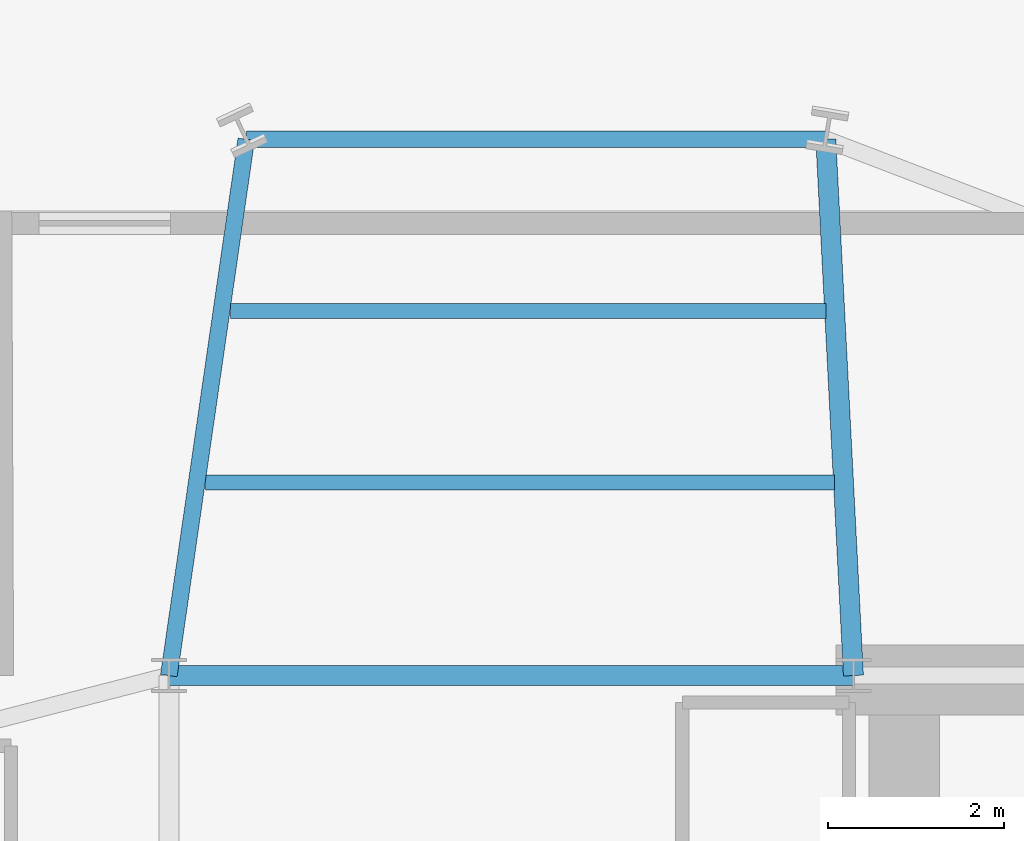
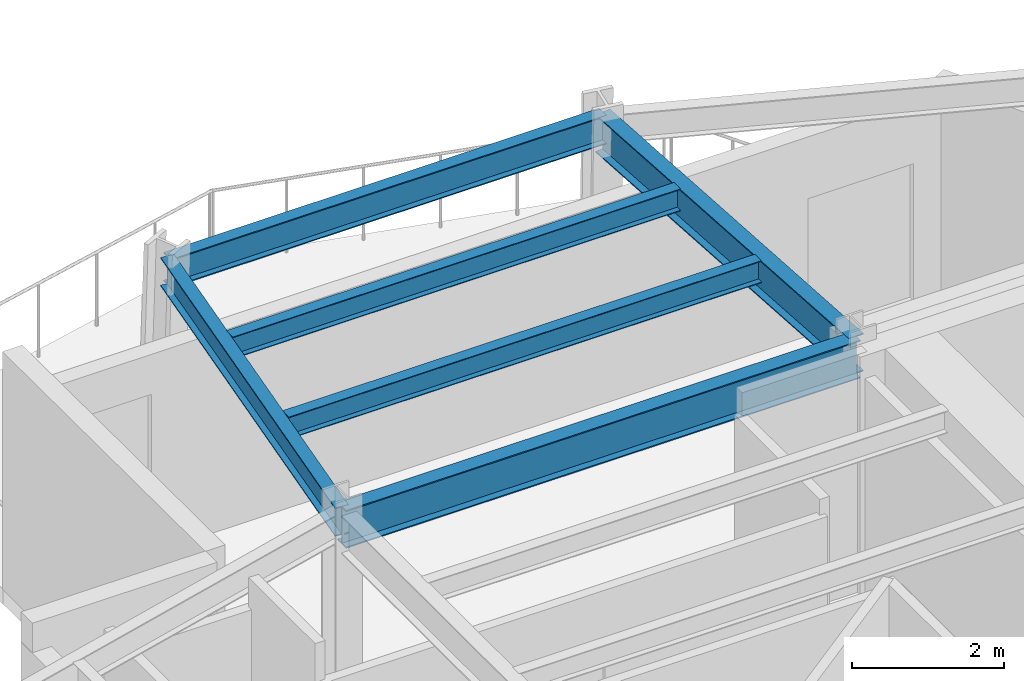
# One storey, part 12 of 23: 6 beams.
"""IFC4 building model written with IfcOpenShell, lengths in metres."""

from ifc_helpers import new_model, si_unit, direction, frame, origin, origin_2d, place, context, subcontext, project, spatial, i_section, extrude, material, material_profile, profile_set, type_object, element, save


model = new_model("IFC4")

# Units and contexts
model_context = context("Model", 3, precision=1e-05, world=origin(), true_north=direction((0.0, 1.0)))
body_context = subcontext(model_context, "Body", "Model", "MODEL_VIEW")
ifc_project = project(units=[si_unit("LENGTHUNIT", "METRE"), si_unit("AREAUNIT", "SQUARE_METRE"), si_unit("VOLUMEUNIT", "CUBIC_METRE"), si_unit("PLANEANGLEUNIT", "RADIAN"), si_unit("MASSUNIT", "GRAM", prefix="KILO")], contexts=[model_context])

# Site, building, storey
site_placement = place(None, origin())
site = spatial("IfcSite", under=ifc_project, at=site_placement, CompositionType="ELEMENT")
building_placement = place(site_placement, origin())
building = spatial("IfcBuilding", under=site, at=building_placement, Name="Veymaron Broadcast Tower", CompositionType="ELEMENT")
storey_placement = place(building_placement, frame((0.0, 0.0, 165.449951171875)))
storey = spatial("IfcBuildingStorey", under=building, at=storey_placement, Name="L38", CompositionType="ELEMENT", Elevation=165.449951171875)

# Beams
ifc_material = material(Name="Structural steel ASTM A992 Gr 50", Category="steel")
ifc_material_profile_1 = material_profile(ifc_material, i_section(OverallWidth=0.22802734375, OverallDepth=0.60791015625, WebThickness=0.01123046875, FlangeThickness=0.017333984375, at=origin_2d()), Name="W610X113")
ifc_profile_set_1 = profile_set([ifc_material_profile_1], Name="Structural steel ASTM A992 Gr 50")
beam_type_1 = type_object("IfcBeamType", Name="BM-FG2", PredefinedType="BEAM", material=ifc_profile_set_1)
beam_1_placement = place(storey_placement, frame((31.199951171875, 32.0, 3.506103515625), z_axis=(1.0, 0.0, 0.0), x_axis=(0.0, 1.0, 0.0)))
element("IfcBeam", 1, at=beam_1_placement, inside=storey, type_object=beam_type_1, Name="L38 primary structural floor girder", PredefinedType="BEAM", context=body_context, shape_type="SweptSolid", body=[
    extrude(i_section(OverallWidth=0.22802734375, OverallDepth=0.60791015625, WebThickness=0.01123046875, FlangeThickness=0.017333984375, at=origin_2d()), origin(), (0.0, 0.0, 1.0), 7.800048828125),
])
beam_2_placement = place(storey_placement, frame((39.0, 32.0, 3.506103515625), z_axis=(-0.051475996299, 0.998674232072, 0.0), x_axis=(-0.998674232072, -0.051475996299, 0.0)))
element("IfcBeam", 2, at=beam_2_placement, inside=storey, type_object=beam_type_1, Name="L38 primary structural floor girder", PredefinedType="BEAM", context=body_context, shape_type="SweptSolid", body=[
    extrude(i_section(OverallWidth=0.22802734375, OverallDepth=0.60791015625, WebThickness=0.01123046875, FlangeThickness=0.017333984375, at=origin_2d()), origin(), (0.0, 0.0, 1.0), 6.1181640625),
])
ifc_material_profile_2 = material_profile(ifc_material, i_section(OverallWidth=0.1708984375, OverallDepth=0.35498046875, WebThickness=0.007080078125, FlangeThickness=0.01171875, at=origin_2d()), Name="W360X51")
ifc_profile_set_2 = profile_set([ifc_material_profile_2], Name="Structural steel ASTM A992 Gr 50")
beam_type_2 = type_object("IfcBeamType", Name="BM-JS2", PredefinedType="JOIST", material=ifc_profile_set_2)
beam_3_placement = place(storey_placement, frame((31.617431640625, 34.19970703125, 3.632568359375), z_axis=(1.0, 0.0, 0.0), x_axis=(0.0, 1.0, 0.0)))
element("IfcBeam", 3, at=beam_3_placement, inside=storey, type_object=beam_type_2, Name="L38 Arm-B secondary joist 1", PredefinedType="JOIST", context=body_context, shape_type="SweptSolid", body=[
    extrude(i_section(OverallWidth=0.1708984375, OverallDepth=0.35498046875, WebThickness=0.007080078125, FlangeThickness=0.01171875, at=origin_2d()), origin(), (0.0, 0.0, 1.0), 7.169189453125),
])
beam_4_placement = place(storey_placement, frame((31.89990234375, 36.15478515625, 3.632568359375), z_axis=(1.0, 0.0, 0.0), x_axis=(0.0, 1.0, 0.0)))
element("IfcBeam", 4, at=beam_4_placement, inside=storey, type_object=beam_type_2, Name="L38 Arm-B secondary joist 2", PredefinedType="JOIST", context=body_context, shape_type="SweptSolid", body=[
    extrude(i_section(OverallWidth=0.1708984375, OverallDepth=0.35498046875, WebThickness=0.007080078125, FlangeThickness=0.01171875, at=origin_2d()), origin(), (0.0, 0.0, 1.0), 6.785888671875),
])
ifc_material_profile_3 = material_profile(ifc_material, i_section(OverallWidth=0.19091796875, OverallDepth=0.4599609375, WebThickness=0.010009765625, FlangeThickness=0.01611328125, at=origin_2d()), Name="W460X82")
ifc_profile_set_3 = profile_set([ifc_material_profile_3], Name="Structural steel ASTM A992 Gr 50")
beam_type_3 = type_object("IfcBeamType", Name="BM-SP1", PredefinedType="SPANDREL", material=ifc_profile_set_3)
beam_5_placement = place(storey_placement, frame((31.199951171875, 32.0, 3.580078125), z_axis=(0.142882854536, 0.989739607109, 0.0), x_axis=(-0.989739607109, 0.142882854536, 0.0)))
element("IfcBeam", 5, at=beam_5_placement, inside=storey, type_object=beam_type_3, Name="L38 primary structural floor girder", PredefinedType="SPANDREL", context=body_context, shape_type="SweptSolid", body=[
    extrude(i_section(OverallWidth=0.19091796875, OverallDepth=0.4599609375, WebThickness=0.010009765625, FlangeThickness=0.01611328125, at=origin_2d()), origin(), (0.0, 0.0, 1.0), 6.17333984375),
])
beam_6_placement = place(storey_placement, frame((32.08203125, 38.110107421875, 3.580078125), z_axis=(1.0, 0.0, 0.0), x_axis=(0.0, 1.0, 0.0)))
element("IfcBeam", 6, at=beam_6_placement, inside=storey, type_object=beam_type_3, Name="L38 primary structural floor girder", PredefinedType="SPANDREL", context=body_context, shape_type="SweptSolid", body=[
    extrude(i_section(OverallWidth=0.19091796875, OverallDepth=0.4599609375, WebThickness=0.010009765625, FlangeThickness=0.01611328125, at=origin_2d()), origin(), (0.0, 0.0, 1.0), 6.60302734375),
])

save(model, "model.ifc")
